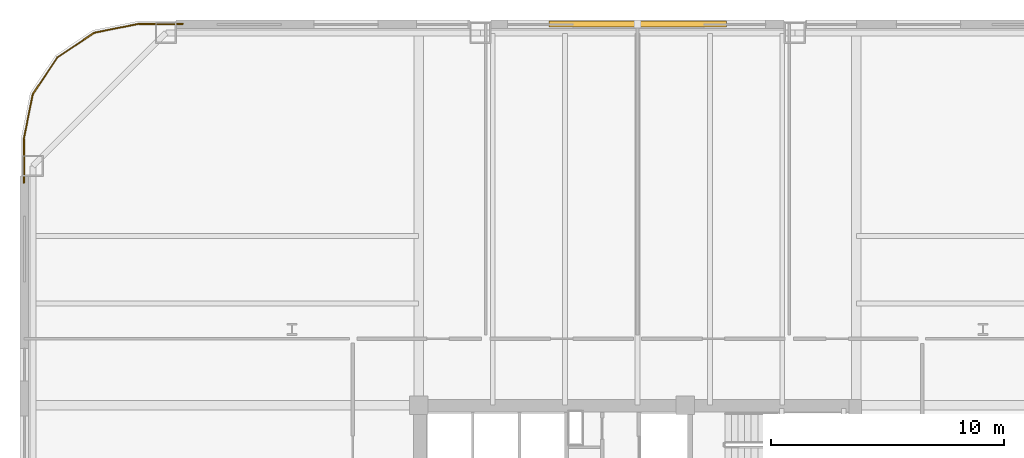
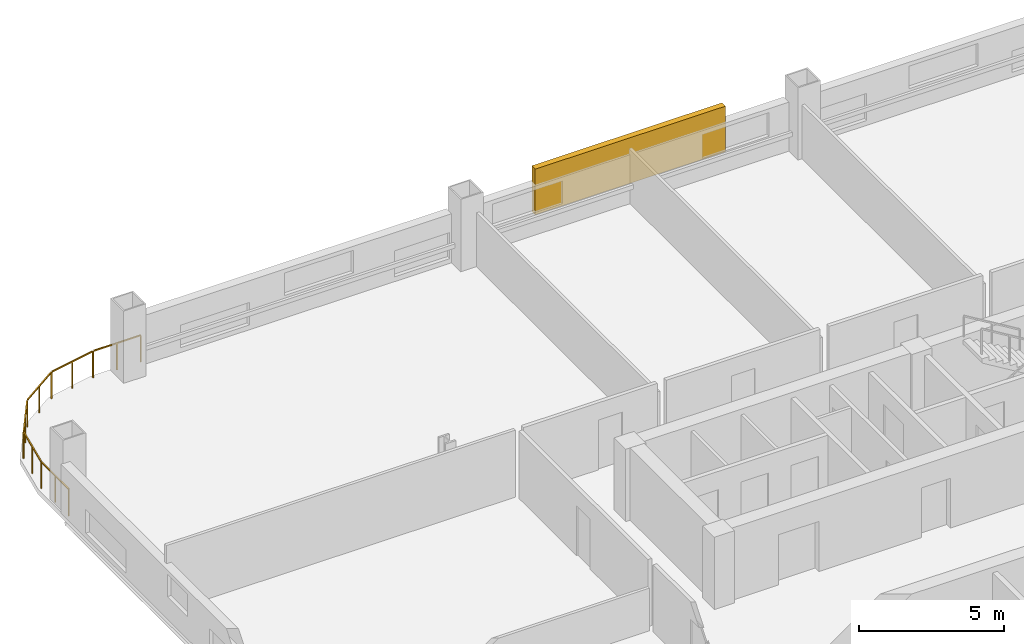
# One storey, part 11 of 12: 1 railing, 1 shading device.
"""IFC4 building model written with IfcOpenShell, lengths in metres."""

from ifc_helpers import new_model, si_unit, direction, frame, origin, origin_2d, place, context, subcontext, project, spatial, rectangle, extrude, material, type_object, element, save


model = new_model("IFC4")

# Units and contexts
model_context = context("Model", 3, precision=1e-05, world=origin(), true_north=direction((0.0, 1.0)))
body_context = subcontext(model_context, "Body", "Model", "MODEL_VIEW")
ifc_project = project(units=[si_unit("LENGTHUNIT", "METRE"), si_unit("AREAUNIT", "SQUARE_METRE"), si_unit("VOLUMEUNIT", "CUBIC_METRE"), si_unit("PLANEANGLEUNIT", "RADIAN"), si_unit("MASSUNIT", "GRAM", prefix="KILO")], contexts=[model_context])

# Site, building, storey
site_placement = place(None, origin())
site = spatial("IfcSite", under=ifc_project, at=site_placement, CompositionType="ELEMENT")
building_placement = place(site_placement, origin())
building = spatial("IfcBuilding", under=site, at=building_placement, Name="Qhalaya Broadcast Tower", CompositionType="ELEMENT")
storey_placement = place(building_placement, frame((0.0, 0.0, 47.449951171875)))
storey = spatial("IfcBuildingStorey", under=building, at=storey_placement, Name="L13", CompositionType="ELEMENT", Elevation=47.449951171875)

# Railing
ifc_material_1 = material(Name="Powder-Coated Galvanised Steel", Category="steel")
railing_type = type_object("IfcRailingType", Name="Terrace, Sky-Pool & Lookout Glass Balustrade 1150", PredefinedType="BALUSTRADE", material=ifc_material_1)
railing_placement = place(storey_placement, frame((-26.280029296875, 19.48193359375, 0.0)))
element("IfcRailing", 1, at=railing_placement, inside=storey, type_object=railing_type, Name="L13 Rounded Corner Perimeter Guard 03", PredefinedType="BALUSTRADE", context=body_context, shape_type="SweptSolid", body=[
    extrude(rectangle(XDim=0.048095703125, YDim=0.048095703125, at=origin_2d()), frame((0.0, 0.0, 1.1259765625), z_axis=(0.0, 1.0, 0.0), x_axis=(-1.0, 0.0, 0.0)), (0.0, 0.0, 1.0), 1.87744140625),
    extrude(rectangle(XDim=0.048095703125, YDim=0.048095703125, at=origin_2d()), frame((0.005615234375, 1.9345703125, 1.1259765625), z_axis=(0.195037378397, 0.980795810058, 0.0), x_axis=(-0.980795810058, 0.195037378397, 0.0)), (0.0, 0.0, 1.0), 1.857421875),
    extrude(rectangle(XDim=0.048095703125, YDim=0.048095703125, at=origin_2d()), frame((0.3896484375, 3.80859375, 1.1259765625), z_axis=(0.555558355728, 0.831477548332, 0.0), x_axis=(-0.831477548332, 0.555558355728, 0.0)), (0.0, 0.0, 1.0), 1.845458984375),
    extrude(rectangle(XDim=0.048095703125, YDim=0.048095703125, at=origin_2d()), frame((1.454833984375, 5.38330078125, 1.1259765625), z_axis=(0.831477548332, 0.555558355728, 0.0), x_axis=(-0.555558355728, 0.831477548332, 0.0)), (0.0, 0.0, 1.0), 1.845458984375),
    extrude(rectangle(XDim=0.048095703125, YDim=0.048095703125, at=origin_2d()), frame((3.041748046875, 6.43017578125, 1.1259765625), z_axis=(0.980795810058, 0.195037378397, 0.0), x_axis=(-0.195037378397, 0.980795810058, 0.0)), (0.0, 0.0, 1.0), 1.857421875),
    extrude(rectangle(XDim=0.048095703125, YDim=0.048095703125, at=origin_2d()), frame((4.920654296875, 6.798095703125, 1.1259765625), z_axis=(1.0, 0.0, 0.0), x_axis=(0.0, 1.0, 0.0)), (0.0, 0.0, 1.0), 1.87744140625),
    extrude(rectangle(XDim=0.0419921875, YDim=0.0419921875, at=origin_2d()), origin(), (0.0, 0.0, 1.0), 1.099853515625),
    extrude(rectangle(XDim=0.0419921875, YDim=0.0419921875, at=origin_2d()), frame((0.0, 0.953125, 0.0)), (0.0, 0.0, 1.0), 1.099853515625),
    extrude(rectangle(XDim=0.0419921875, YDim=0.0419921875, at=origin_2d()), frame((0.0, 1.90625, 0.0)), (0.0, 0.0, 1.0), 1.099853515625),
    extrude(rectangle(XDim=0.0419921875, YDim=0.0419921875, at=origin_2d()), frame((0.186767578125, 2.845458984375, 0.0)), (0.0, 0.0, 1.0), 1.099853515625),
    extrude(rectangle(XDim=0.0419921875, YDim=0.0419921875, at=origin_2d()), frame((0.37353515625, 3.78466796875, 0.0)), (0.0, 0.0, 1.0), 1.099853515625),
    extrude(rectangle(XDim=0.0419921875, YDim=0.0419921875, at=origin_2d()), frame((0.90234375, 4.575927734375, 0.0)), (0.0, 0.0, 1.0), 1.099853515625),
    extrude(rectangle(XDim=0.0419921875, YDim=0.0419921875, at=origin_2d()), frame((1.430908203125, 5.3671875, 0.0)), (0.0, 0.0, 1.0), 1.099853515625),
    extrude(rectangle(XDim=0.0419921875, YDim=0.0419921875, at=origin_2d()), frame((2.22216796875, 5.89599609375, 0.0)), (0.0, 0.0, 1.0), 1.099853515625),
    extrude(rectangle(XDim=0.0419921875, YDim=0.0419921875, at=origin_2d()), frame((3.013427734375, 6.424560546875, 0.0)), (0.0, 0.0, 1.0), 1.099853515625),
    extrude(rectangle(XDim=0.0419921875, YDim=0.0419921875, at=origin_2d()), frame((3.95263671875, 6.611328125, 0.0)), (0.0, 0.0, 1.0), 1.099853515625),
    extrude(rectangle(XDim=0.0419921875, YDim=0.0419921875, at=origin_2d()), frame((4.891845703125, 6.798095703125, 0.0)), (0.0, 0.0, 1.0), 1.099853515625),
    extrude(rectangle(XDim=0.0419921875, YDim=0.0419921875, at=origin_2d()), frame((5.844970703125, 6.798095703125, 0.0)), (0.0, 0.0, 1.0), 1.099853515625),
    extrude(rectangle(XDim=0.0419921875, YDim=0.0419921875, at=origin_2d()), frame((6.798095703125, 6.798095703125, 0.0)), (0.0, 0.0, 1.0), 1.099853515625),
])

# Shading device
ifc_material_2 = material(Name="Fired Architectural Terracotta", Category="masonry")
shading_device_type = type_object("IfcShadingDeviceType", Name="Terracotta Baguette Solar Screen Assembly TBS-01", PredefinedType="USERDEFINED", material=ifc_material_2)
shading_device_placement = place(storey_placement, frame((0.0, 26.280029296875, 0.79248046875), z_axis=(0.0, 0.0, 1.0), x_axis=(-1.0, 0.0, 0.0)))
element("IfcShadingDevice", 2, at=shading_device_placement, inside=storey, type_object=shading_device_type, Name="L13 Fired Terracotta Baguette Screen N", ObjectType="BAGUETTE", PredefinedType="USERDEFINED", context=body_context, shape_type="SweptSolid", body=[
    extrude(rectangle(XDim=7.60009765625, YDim=0.239990234375, at=origin_2d()), origin(), (0.0, 0.0, 1.0), 1.924072265625),
])

save(model, "model.ifc")
